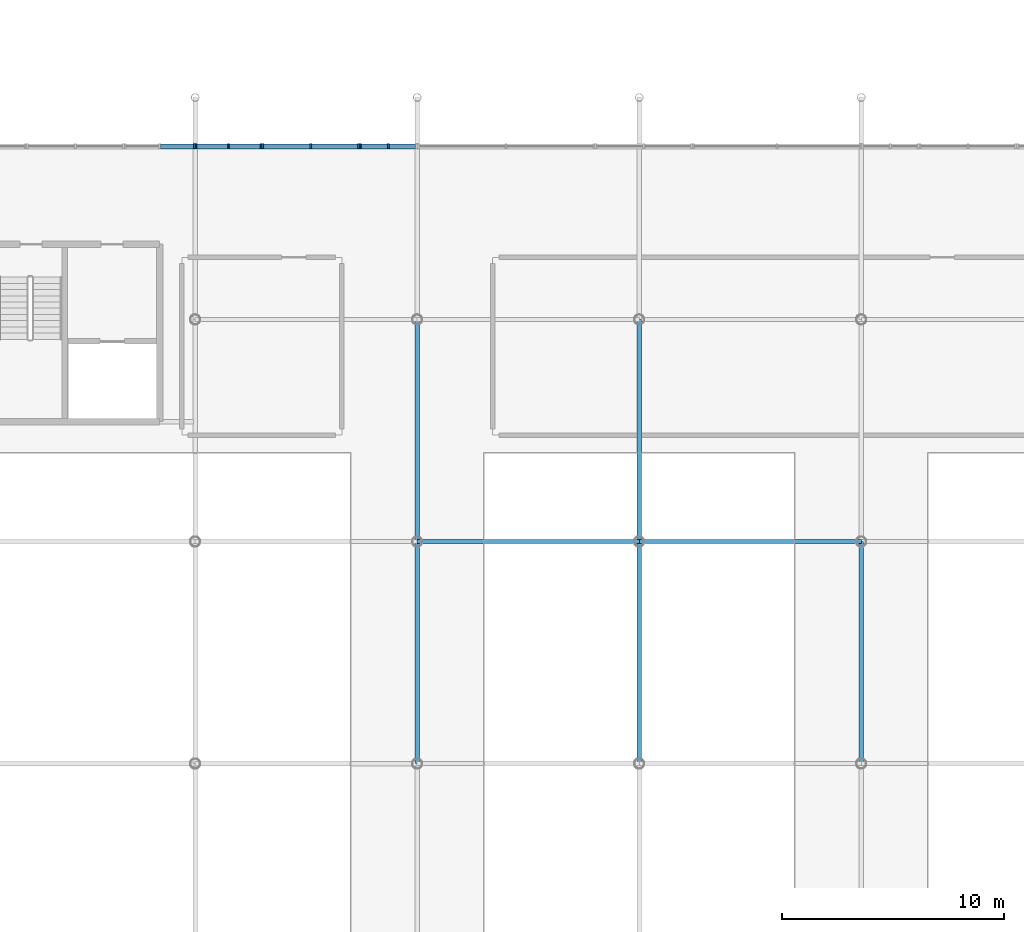
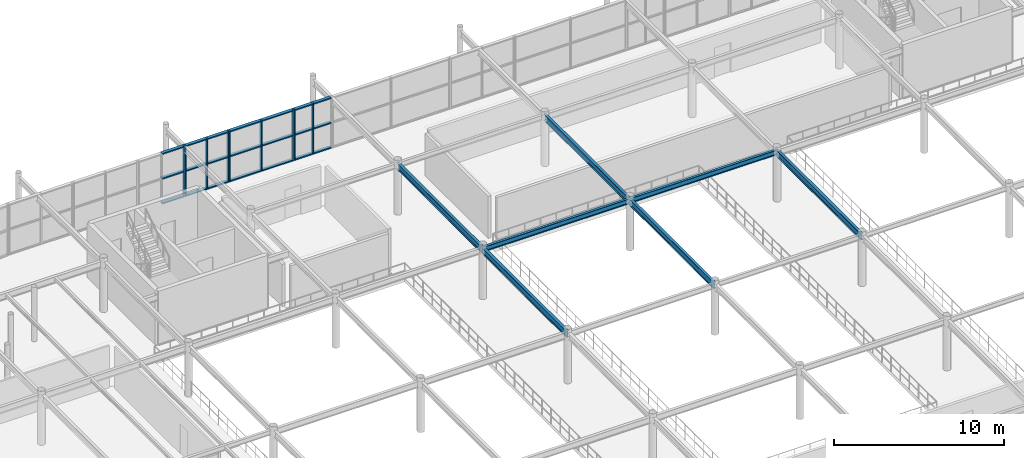
# One storey, part 48 of 98: 30 members, 7 beams, 4 elements without a shape of their own.
"""IFC4 building model written with IfcOpenShell, lengths in metres."""

from ifc_helpers import new_model, si_unit, derived_unit, direction, frame, origin, origin_2d_with_axis, place, context, subcontext, project, spatial, rectangle, i_section, extrude, material, material_profile, profile_set, type_object, element, aggregate, save


model = new_model("IFC4")

# Units and contexts
model_context = context("Model", 3, precision=1e-05, world=origin(), true_north=direction((0.0, 1.0)))
body_context = subcontext(model_context, "Body", "Model", "MODEL_VIEW")
ifc_project = project(units=[si_unit("LENGTHUNIT", "METRE"), si_unit("AREAUNIT", "SQUARE_METRE"), si_unit("VOLUMEUNIT", "CUBIC_METRE"), si_unit("PLANEANGLEUNIT", "RADIAN"), si_unit("MASSUNIT", "GRAM", prefix="KILO"), derived_unit("THERMALTRANSMITTANCEUNIT", [(si_unit("POWERUNIT", "WATT"), 1), (si_unit("LENGTHUNIT", "METRE"), -2), (si_unit("THERMODYNAMICTEMPERATUREUNIT", "KELVIN"), -1)])], contexts=[model_context])

# Site, building, storey
site_placement = place(None, origin())
site = spatial("IfcSite", under=ifc_project, at=site_placement, CompositionType="ELEMENT")
building_placement = place(site_placement, origin())
building = spatial("IfcBuilding", under=site, at=building_placement, Name="Cinnabar Yard Market Hall", CompositionType="ELEMENT")
storey_placement = place(building_placement, frame((0.0, 0.0, 4.5)))
storey = spatial("IfcBuildingStorey", under=building, at=storey_placement, Name="L01", CompositionType="ELEMENT", Elevation=4.5)

# Beams
ifc_material_1 = material(Name="Steel Grade 300 (300 MPa)", Category="steel")
ifc_material_profile_1 = material_profile(ifc_material_1, i_section(OverallWidth=0.18994140625, OverallDepth=0.453857421875, WebThickness=0.008544921875, FlangeThickness=0.0126953125, FilletRadius=0.011474609375, at=origin_2d_with_axis()), Name="460UB67.1")
ifc_profile_set_1 = profile_set([ifc_material_profile_1], Name="Steel Grade 300 (300 MPa)")
beam_type_1 = type_object("IfcBeamType", Name="BM-B05", PredefinedType="BEAM", material=ifc_profile_set_1)
for number, where, z_axis, x_axis, name in (
    (1, (106.0, 44.0, 3.423095703125), (0.0, 1.0, 0.0), (-1.0, 0.0, 0.0), "L01 Gallery Girder Y 00328"),
    (2, (106.0, 54.0, 3.423095703125), (0.0, 1.0, 0.0), (-1.0, 0.0, 0.0), "L01 Gallery Girder Y 00329"),
    (3, (116.0, 44.0, 3.423095703125), (0.0, 1.0, 0.0), (-1.0, 0.0, 0.0), "L01 Gallery Girder Y 00332"),
    (4, (116.0, 54.0, 3.423095703125), (0.0, 1.0, 0.0), (-1.0, 0.0, 0.0), "L01 Gallery Girder Y 00333"),
    (5, (126.0, 44.0, 3.423095703125), (0.0, 1.0, 0.0), (-1.0, 0.0, 0.0), "L01 Gallery Girder Y 00336"),
):
    element("IfcBeam", number, at=place(storey_placement, frame(where, z_axis=z_axis, x_axis=x_axis)), inside=storey, type_object=beam_type_1, Name=name, PredefinedType="BEAM", context=body_context, shape_type="SweptSolid", body=[
        extrude(i_section(OverallWidth=0.18994140625, OverallDepth=0.453857421875, WebThickness=0.008544921875, FlangeThickness=0.0126953125, FilletRadius=0.011474609375, at=origin_2d_with_axis()), origin(), (0.0, 0.0, 1.0), 10.0),
    ])
ifc_material_profile_2 = material_profile(ifc_material_1, i_section(OverallWidth=0.1708984375, OverallDepth=0.355712890625, WebThickness=0.00732421875, FlangeThickness=0.011474609375, FilletRadius=0.011474609375, at=origin_2d_with_axis()), Name="360UB50.7")
ifc_profile_set_2 = profile_set([ifc_material_profile_2], Name="Steel Grade 300 (300 MPa)")
beam_type_2 = type_object("IfcBeamType", Name="BM-B10", PredefinedType="BEAM", material=ifc_profile_set_2)
beam_1_placement = place(storey_placement, frame((106.0, 54.0, 3.47216796875), z_axis=(1.0, 0.0, 0.0), x_axis=(0.0, 1.0, 0.0)))
element("IfcBeam", 6, at=beam_1_placement, inside=storey, type_object=beam_type_2, Name="L01 Gallery Girder X 00267", PredefinedType="BEAM", context=body_context, shape_type="SweptSolid", body=[
    extrude(i_section(OverallWidth=0.1708984375, OverallDepth=0.355712890625, WebThickness=0.00732421875, FlangeThickness=0.011474609375, FilletRadius=0.011474609375, at=origin_2d_with_axis()), origin(), (0.0, 0.0, 1.0), 10.0),
])
ifc_material_profile_3 = material_profile(ifc_material_1, i_section(OverallWidth=0.1708984375, OverallDepth=0.35205078125, WebThickness=0.0068359375, FlangeThickness=0.009765625, FilletRadius=0.011474609375, at=origin_2d_with_axis()), Name="360UB44.7")
ifc_profile_set_3 = profile_set([ifc_material_profile_3], Name="Steel Grade 300 (300 MPa)")
beam_type_3 = type_object("IfcBeamType", Name="BM-B11", PredefinedType="BEAM", material=ifc_profile_set_3)
beam_2_placement = place(storey_placement, frame((116.0, 54.0, 3.47412109375), z_axis=(1.0, 0.0, 0.0), x_axis=(0.0, 1.0, 0.0)))
element("IfcBeam", 7, at=beam_2_placement, inside=storey, type_object=beam_type_3, Name="L01 Gallery Girder X 00272", PredefinedType="BEAM", context=body_context, shape_type="SweptSolid", body=[
    extrude(i_section(OverallWidth=0.1708984375, OverallDepth=0.35205078125, WebThickness=0.0068359375, FlangeThickness=0.009765625, FilletRadius=0.011474609375, at=origin_2d_with_axis()), origin(), (0.0, 0.0, 1.0), 10.0),
])

# Curtain wall, member
ifc_material_2 = material(Name="Anodised bronze aluminium and low-E glass", Category="aluminium")
curtain_wall_type_1 = type_object("IfcCurtainWallType", Name="CW-CWH032x36", PredefinedType="NOTDEFINED", material=ifc_material_2)
curtain_wall_1_placement = place(storey_placement, origin())
curtain_wall_1 = element("IfcCurtainWall", 8, at=curtain_wall_1_placement, inside=storey, type_object=curtain_wall_type_1, Name="Market Hall North Gallery Glazing B1B", PredefinedType="NOTDEFINED")
ifc_material_3 = material(Name="Anodised bronze aluminium", Category="aluminium")
ifc_material_profile_4 = material_profile(ifc_material_3, rectangle(XDim=0.219970703125, YDim=0.080078125, at=origin_2d_with_axis()), Name="MUL-CWH")
ifc_profile_set_4 = profile_set([ifc_material_profile_4], Name="Anodised bronze aluminium")
member_type_1 = type_object("IfcMemberType", Name="CWM-CWH", PredefinedType="MULLION", material=ifc_profile_set_4)
member_1_placement = place(storey_placement, frame((95.9599609375, 71.800048828125, 0.0), z_axis=(0.0, 0.0, 1.0), x_axis=(0.0, -1.0, 0.0)))
member_1 = element("IfcMember", 9, at=member_1_placement, type_object=member_type_1, Name="CWH032x36 mullion 1", PredefinedType="MULLION", context=body_context, shape_type="SweptSolid", body=[
    extrude(rectangle(XDim=0.219970703125, YDim=0.080078125, at=origin_2d_with_axis()), origin(), (0.0, 0.0, 1.0), 3.64990234375),
])

# Curtain wall, members
curtain_wall_type_2 = type_object("IfcCurtainWallType", Name="CW-CWH030x36", PredefinedType="NOTDEFINED", material=ifc_material_2)
curtain_wall_2_placement = place(storey_placement, origin())
curtain_wall_2 = element("IfcCurtainWall", 10, at=curtain_wall_2_placement, inside=storey, type_object=curtain_wall_type_2, Name="Market Hall North Gallery Glazing B2A", PredefinedType="NOTDEFINED")
member_2_placement = place(storey_placement, frame((98.9599609375, 71.800048828125, 0.0), z_axis=(0.0, 0.0, 1.0), x_axis=(0.0, -1.0, 0.0)))
member_2 = element("IfcMember", 11, at=member_2_placement, type_object=member_type_1, Name="CWH030x36 mullion 1", PredefinedType="MULLION", context=body_context, shape_type="SweptSolid", body=[
    extrude(rectangle(XDim=0.219970703125, YDim=0.080078125, at=origin_2d_with_axis()), origin(), (0.0, 0.0, 1.0), 3.64990234375),
])
member_3_placement = place(storey_placement, frame((97.5, 71.800048828125, 0.0), z_axis=(0.0, 0.0, 1.0), x_axis=(0.0, -1.0, 0.0)))
member_3 = element("IfcMember", 12, at=member_3_placement, type_object=member_type_1, Name="CWH030x36 mullion 2", PredefinedType="MULLION", context=body_context, shape_type="SweptSolid", body=[
    extrude(rectangle(XDim=0.219970703125, YDim=0.080078125, at=origin_2d_with_axis()), origin(), (0.0, 0.0, 1.0), 3.64990234375),
])
member_4_placement = place(storey_placement, frame((96.0400390625, 71.800048828125, 0.0), z_axis=(0.0, 0.0, 1.0), x_axis=(0.0, -1.0, 0.0)))
member_4 = element("IfcMember", 13, at=member_4_placement, type_object=member_type_1, Name="CWH030x36 mullion 3", PredefinedType="MULLION", context=body_context, shape_type="SweptSolid", body=[
    extrude(rectangle(XDim=0.219970703125, YDim=0.080078125, at=origin_2d_with_axis()), origin(), (0.0, 0.0, 1.0), 3.64990234375),
])

curtain_wall_type_3 = type_object("IfcCurtainWallType", Name="CW-CWH044x36", PredefinedType="NOTDEFINED", material=ifc_material_2)
curtain_wall_3_placement = place(storey_placement, origin())
curtain_wall_3 = element("IfcCurtainWall", 14, at=curtain_wall_3_placement, inside=storey, type_object=curtain_wall_type_3, Name="Market Hall North Gallery Glazing PTB2", PredefinedType="NOTDEFINED")
member_5_placement = place(storey_placement, frame((103.360107421875, 71.800048828125, 0.0), z_axis=(0.0, 0.0, 1.0), x_axis=(0.0, -1.0, 0.0)))
member_5 = element("IfcMember", 15, at=member_5_placement, type_object=member_type_1, Name="CWH044x36 mullion 1", PredefinedType="MULLION", context=body_context, shape_type="SweptSolid", body=[
    extrude(rectangle(XDim=0.219970703125, YDim=0.080078125, at=origin_2d_with_axis()), origin(), (0.0, 0.0, 1.0), 3.64990234375),
])
member_6_placement = place(storey_placement, frame((101.199951171875, 71.800048828125, 0.0), z_axis=(0.0, 0.0, 1.0), x_axis=(0.0, -1.0, 0.0)))
member_6 = element("IfcMember", 16, at=member_6_placement, type_object=member_type_1, Name="CWH044x36 mullion 2", PredefinedType="MULLION", context=body_context, shape_type="SweptSolid", body=[
    extrude(rectangle(XDim=0.219970703125, YDim=0.080078125, at=origin_2d_with_axis()), origin(), (0.0, 0.0, 1.0), 3.64990234375),
])
member_7_placement = place(storey_placement, frame((99.0400390625, 71.800048828125, 0.0), z_axis=(0.0, 0.0, 1.0), x_axis=(0.0, -1.0, 0.0)))
member_7 = element("IfcMember", 17, at=member_7_placement, type_object=member_type_1, Name="CWH044x36 mullion 3", PredefinedType="MULLION", context=body_context, shape_type="SweptSolid", body=[
    extrude(rectangle(XDim=0.219970703125, YDim=0.080078125, at=origin_2d_with_axis()), origin(), (0.0, 0.0, 1.0), 3.64990234375),
])

curtain_wall_type_4 = type_object("IfcCurtainWallType", Name="CW-CWH026x36", PredefinedType="NOTDEFINED", material=ifc_material_2)
curtain_wall_4_placement = place(storey_placement, origin())
curtain_wall_4 = element("IfcCurtainWall", 18, at=curtain_wall_4_placement, inside=storey, type_object=curtain_wall_type_4, Name="Market Hall North Gallery Glazing B2B", PredefinedType="NOTDEFINED")
member_8_placement = place(storey_placement, frame((104.699951171875, 71.800048828125, 0.0), z_axis=(0.0, 0.0, 1.0), x_axis=(0.0, -1.0, 0.0)))
member_8 = element("IfcMember", 19, at=member_8_placement, type_object=member_type_1, Name="CWH026x36 mullion 2", PredefinedType="MULLION", context=body_context, shape_type="SweptSolid", body=[
    extrude(rectangle(XDim=0.219970703125, YDim=0.080078125, at=origin_2d_with_axis()), origin(), (0.0, 0.0, 1.0), 3.64990234375),
])
member_9_placement = place(storey_placement, frame((103.43994140625, 71.800048828125, 0.0), z_axis=(0.0, 0.0, 1.0), x_axis=(0.0, -1.0, 0.0)))
member_9 = element("IfcMember", 20, at=member_9_placement, type_object=member_type_1, Name="CWH026x36 mullion 3", PredefinedType="MULLION", context=body_context, shape_type="SweptSolid", body=[
    extrude(rectangle(XDim=0.219970703125, YDim=0.080078125, at=origin_2d_with_axis()), origin(), (0.0, 0.0, 1.0), 3.64990234375),
])

# Member
ifc_material_profile_5 = material_profile(ifc_material_3, rectangle(XDim=0.219970703125, YDim=0.080078125, at=origin_2d_with_axis()), Name="TRN-CWH")
ifc_profile_set_5 = profile_set([ifc_material_profile_5], Name="Anodised bronze aluminium")
member_type_2 = type_object("IfcMemberType", Name="CWT-CWH", PredefinedType="USERDEFINED", material=ifc_profile_set_5)
member_10_placement = place(storey_placement, frame((95.919921875, 71.800048828125, 0.0400390625), z_axis=(-1.0, 0.0, 0.0), x_axis=(0.0, -1.0, 0.0)))
member_10 = element("IfcMember", 21, at=member_10_placement, type_object=member_type_2, Name="CWH032x36 transom 1.1", ObjectType="TRANSOM", PredefinedType="USERDEFINED", context=body_context, shape_type="SweptSolid", body=[
    extrude(rectangle(XDim=0.219970703125, YDim=0.080078125, at=origin_2d_with_axis()), origin(), (0.0, 0.0, 1.0), 1.47998046875),
])

member_11_placement = place(storey_placement, frame((95.919921875, 71.800048828125, 1.824951171875), z_axis=(-1.0, 0.0, 0.0), x_axis=(0.0, -1.0, 0.0)))
member_11 = element("IfcMember", 22, at=member_11_placement, type_object=member_type_2, Name="CWH032x36 transom 1.2", ObjectType="TRANSOM", PredefinedType="USERDEFINED", context=body_context, shape_type="SweptSolid", body=[
    extrude(rectangle(XDim=0.219970703125, YDim=0.080078125, at=origin_2d_with_axis()), origin(), (0.0, 0.0, 1.0), 1.47998046875),
])

member_12_placement = place(storey_placement, frame((95.919921875, 71.800048828125, 3.610107421875), z_axis=(-1.0, 0.0, 0.0), x_axis=(0.0, -1.0, 0.0)))
member_12 = element("IfcMember", 23, at=member_12_placement, type_object=member_type_2, Name="CWH032x36 transom 1.3", ObjectType="TRANSOM", PredefinedType="USERDEFINED", context=body_context, shape_type="SweptSolid", body=[
    extrude(rectangle(XDim=0.219970703125, YDim=0.080078125, at=origin_2d_with_axis()), origin(), (0.0, 0.0, 1.0), 1.47998046875),
])

aggregate(curtain_wall_1, [member_1, member_10, member_11, member_12])

member_13_placement = place(storey_placement, frame((98.919921875, 71.800048828125, 0.0400390625), z_axis=(-1.0, 0.0, 0.0), x_axis=(0.0, -1.0, 0.0)))
member_13 = element("IfcMember", 24, at=member_13_placement, type_object=member_type_2, Name="CWH030x36 transom 1.1", ObjectType="TRANSOM", PredefinedType="USERDEFINED", context=body_context, shape_type="SweptSolid", body=[
    extrude(rectangle(XDim=0.219970703125, YDim=0.080078125, at=origin_2d_with_axis()), origin(), (0.0, 0.0, 1.0), 1.3798828125),
])

member_14_placement = place(storey_placement, frame((98.919921875, 71.800048828125, 1.824951171875), z_axis=(-1.0, 0.0, 0.0), x_axis=(0.0, -1.0, 0.0)))
member_14 = element("IfcMember", 25, at=member_14_placement, type_object=member_type_2, Name="CWH030x36 transom 1.2", ObjectType="TRANSOM", PredefinedType="USERDEFINED", context=body_context, shape_type="SweptSolid", body=[
    extrude(rectangle(XDim=0.219970703125, YDim=0.080078125, at=origin_2d_with_axis()), origin(), (0.0, 0.0, 1.0), 1.3798828125),
])

member_15_placement = place(storey_placement, frame((98.919921875, 71.800048828125, 3.610107421875), z_axis=(-1.0, 0.0, 0.0), x_axis=(0.0, -1.0, 0.0)))
member_15 = element("IfcMember", 26, at=member_15_placement, type_object=member_type_2, Name="CWH030x36 transom 1.3", ObjectType="TRANSOM", PredefinedType="USERDEFINED", context=body_context, shape_type="SweptSolid", body=[
    extrude(rectangle(XDim=0.219970703125, YDim=0.080078125, at=origin_2d_with_axis()), origin(), (0.0, 0.0, 1.0), 1.3798828125),
])

member_16_placement = place(storey_placement, frame((97.4599609375, 71.800048828125, 0.0400390625), z_axis=(-1.0, 0.0, 0.0), x_axis=(0.0, -1.0, 0.0)))
member_16 = element("IfcMember", 27, at=member_16_placement, type_object=member_type_2, Name="CWH030x36 transom 2.1", ObjectType="TRANSOM", PredefinedType="USERDEFINED", context=body_context, shape_type="SweptSolid", body=[
    extrude(rectangle(XDim=0.219970703125, YDim=0.080078125, at=origin_2d_with_axis()), origin(), (0.0, 0.0, 1.0), 1.3798828125),
])

member_17_placement = place(storey_placement, frame((97.4599609375, 71.800048828125, 1.824951171875), z_axis=(-1.0, 0.0, 0.0), x_axis=(0.0, -1.0, 0.0)))
member_17 = element("IfcMember", 28, at=member_17_placement, type_object=member_type_2, Name="CWH030x36 transom 2.2", ObjectType="TRANSOM", PredefinedType="USERDEFINED", context=body_context, shape_type="SweptSolid", body=[
    extrude(rectangle(XDim=0.219970703125, YDim=0.080078125, at=origin_2d_with_axis()), origin(), (0.0, 0.0, 1.0), 1.3798828125),
])

member_18_placement = place(storey_placement, frame((97.4599609375, 71.800048828125, 3.610107421875), z_axis=(-1.0, 0.0, 0.0), x_axis=(0.0, -1.0, 0.0)))
member_18 = element("IfcMember", 29, at=member_18_placement, type_object=member_type_2, Name="CWH030x36 transom 2.3", ObjectType="TRANSOM", PredefinedType="USERDEFINED", context=body_context, shape_type="SweptSolid", body=[
    extrude(rectangle(XDim=0.219970703125, YDim=0.080078125, at=origin_2d_with_axis()), origin(), (0.0, 0.0, 1.0), 1.3798828125),
])

aggregate(curtain_wall_2, [member_2, member_3, member_4, member_13, member_14, member_15, member_16, member_17, member_18])

member_19_placement = place(storey_placement, frame((103.320068359375, 71.800048828125, 0.0400390625), z_axis=(-1.0, 0.0, 0.0), x_axis=(0.0, -1.0, 0.0)))
member_19 = element("IfcMember", 30, at=member_19_placement, type_object=member_type_2, Name="CWH044x36 transom 1.1", ObjectType="TRANSOM", PredefinedType="USERDEFINED", context=body_context, shape_type="SweptSolid", body=[
    extrude(rectangle(XDim=0.219970703125, YDim=0.080078125, at=origin_2d_with_axis()), origin(), (0.0, 0.0, 1.0), 2.080078125),
])

member_20_placement = place(storey_placement, frame((103.320068359375, 71.800048828125, 1.824951171875), z_axis=(-1.0, 0.0, 0.0), x_axis=(0.0, -1.0, 0.0)))
member_20 = element("IfcMember", 31, at=member_20_placement, type_object=member_type_2, Name="CWH044x36 transom 1.2", ObjectType="TRANSOM", PredefinedType="USERDEFINED", context=body_context, shape_type="SweptSolid", body=[
    extrude(rectangle(XDim=0.219970703125, YDim=0.080078125, at=origin_2d_with_axis()), origin(), (0.0, 0.0, 1.0), 2.080078125),
])

member_21_placement = place(storey_placement, frame((103.320068359375, 71.800048828125, 3.610107421875), z_axis=(-1.0, 0.0, 0.0), x_axis=(0.0, -1.0, 0.0)))
member_21 = element("IfcMember", 32, at=member_21_placement, type_object=member_type_2, Name="CWH044x36 transom 1.3", ObjectType="TRANSOM", PredefinedType="USERDEFINED", context=body_context, shape_type="SweptSolid", body=[
    extrude(rectangle(XDim=0.219970703125, YDim=0.080078125, at=origin_2d_with_axis()), origin(), (0.0, 0.0, 1.0), 2.080078125),
])

member_22_placement = place(storey_placement, frame((101.159912109375, 71.800048828125, 0.0400390625), z_axis=(-1.0, 0.0, 0.0), x_axis=(0.0, -1.0, 0.0)))
member_22 = element("IfcMember", 33, at=member_22_placement, type_object=member_type_2, Name="CWH044x36 transom 2.1", ObjectType="TRANSOM", PredefinedType="USERDEFINED", context=body_context, shape_type="SweptSolid", body=[
    extrude(rectangle(XDim=0.219970703125, YDim=0.080078125, at=origin_2d_with_axis()), origin(), (0.0, 0.0, 1.0), 2.079833984375),
])

member_23_placement = place(storey_placement, frame((101.159912109375, 71.800048828125, 1.824951171875), z_axis=(-1.0, 0.0, 0.0), x_axis=(0.0, -1.0, 0.0)))
member_23 = element("IfcMember", 34, at=member_23_placement, type_object=member_type_2, Name="CWH044x36 transom 2.2", ObjectType="TRANSOM", PredefinedType="USERDEFINED", context=body_context, shape_type="SweptSolid", body=[
    extrude(rectangle(XDim=0.219970703125, YDim=0.080078125, at=origin_2d_with_axis()), origin(), (0.0, 0.0, 1.0), 2.079833984375),
])

member_24_placement = place(storey_placement, frame((101.159912109375, 71.800048828125, 3.610107421875), z_axis=(-1.0, 0.0, 0.0), x_axis=(0.0, -1.0, 0.0)))
member_24 = element("IfcMember", 35, at=member_24_placement, type_object=member_type_2, Name="CWH044x36 transom 2.3", ObjectType="TRANSOM", PredefinedType="USERDEFINED", context=body_context, shape_type="SweptSolid", body=[
    extrude(rectangle(XDim=0.219970703125, YDim=0.080078125, at=origin_2d_with_axis()), origin(), (0.0, 0.0, 1.0), 2.079833984375),
])

aggregate(curtain_wall_3, [member_5, member_6, member_7, member_19, member_20, member_21, member_22, member_23, member_24])

member_25_placement = place(storey_placement, frame((105.919921875, 71.800048828125, 0.0400390625), z_axis=(-1.0, 0.0, 0.0), x_axis=(0.0, -1.0, 0.0)))
member_25 = element("IfcMember", 36, at=member_25_placement, type_object=member_type_2, Name="CWH026x36 transom 1.1", ObjectType="TRANSOM", PredefinedType="USERDEFINED", context=body_context, shape_type="SweptSolid", body=[
    extrude(rectangle(XDim=0.219970703125, YDim=0.080078125, at=origin_2d_with_axis()), origin(), (0.0, 0.0, 1.0), 1.179931640625),
])

member_26_placement = place(storey_placement, frame((105.919921875, 71.800048828125, 1.824951171875), z_axis=(-1.0, 0.0, 0.0), x_axis=(0.0, -1.0, 0.0)))
member_26 = element("IfcMember", 37, at=member_26_placement, type_object=member_type_2, Name="CWH026x36 transom 1.2", ObjectType="TRANSOM", PredefinedType="USERDEFINED", context=body_context, shape_type="SweptSolid", body=[
    extrude(rectangle(XDim=0.219970703125, YDim=0.080078125, at=origin_2d_with_axis()), origin(), (0.0, 0.0, 1.0), 1.179931640625),
])

member_27_placement = place(storey_placement, frame((105.919921875, 71.800048828125, 3.610107421875), z_axis=(-1.0, 0.0, 0.0), x_axis=(0.0, -1.0, 0.0)))
member_27 = element("IfcMember", 38, at=member_27_placement, type_object=member_type_2, Name="CWH026x36 transom 1.3", ObjectType="TRANSOM", PredefinedType="USERDEFINED", context=body_context, shape_type="SweptSolid", body=[
    extrude(rectangle(XDim=0.219970703125, YDim=0.080078125, at=origin_2d_with_axis()), origin(), (0.0, 0.0, 1.0), 1.179931640625),
])

member_28_placement = place(storey_placement, frame((104.659912109375, 71.800048828125, 0.0400390625), z_axis=(-1.0, 0.0, 0.0), x_axis=(0.0, -1.0, 0.0)))
member_28 = element("IfcMember", 39, at=member_28_placement, type_object=member_type_2, Name="CWH026x36 transom 2.1", ObjectType="TRANSOM", PredefinedType="USERDEFINED", context=body_context, shape_type="SweptSolid", body=[
    extrude(rectangle(XDim=0.219970703125, YDim=0.080078125, at=origin_2d_with_axis()), origin(), (0.0, 0.0, 1.0), 1.179931640625),
])

member_29_placement = place(storey_placement, frame((104.659912109375, 71.800048828125, 1.824951171875), z_axis=(-1.0, 0.0, 0.0), x_axis=(0.0, -1.0, 0.0)))
member_29 = element("IfcMember", 40, at=member_29_placement, type_object=member_type_2, Name="CWH026x36 transom 2.2", ObjectType="TRANSOM", PredefinedType="USERDEFINED", context=body_context, shape_type="SweptSolid", body=[
    extrude(rectangle(XDim=0.219970703125, YDim=0.080078125, at=origin_2d_with_axis()), origin(), (0.0, 0.0, 1.0), 1.179931640625),
])

member_30_placement = place(storey_placement, frame((104.659912109375, 71.800048828125, 3.610107421875), z_axis=(-1.0, 0.0, 0.0), x_axis=(0.0, -1.0, 0.0)))
member_30 = element("IfcMember", 41, at=member_30_placement, type_object=member_type_2, Name="CWH026x36 transom 2.3", ObjectType="TRANSOM", PredefinedType="USERDEFINED", context=body_context, shape_type="SweptSolid", body=[
    extrude(rectangle(XDim=0.219970703125, YDim=0.080078125, at=origin_2d_with_axis()), origin(), (0.0, 0.0, 1.0), 1.179931640625),
])

aggregate(curtain_wall_4, [member_8, member_9, member_25, member_26, member_27, member_28, member_29, member_30])

save(model, "model.ifc")
